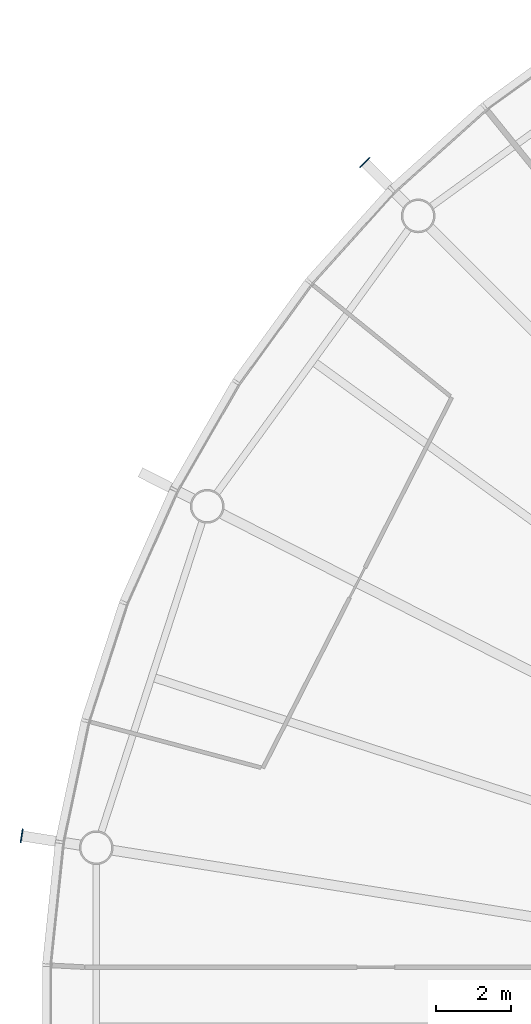
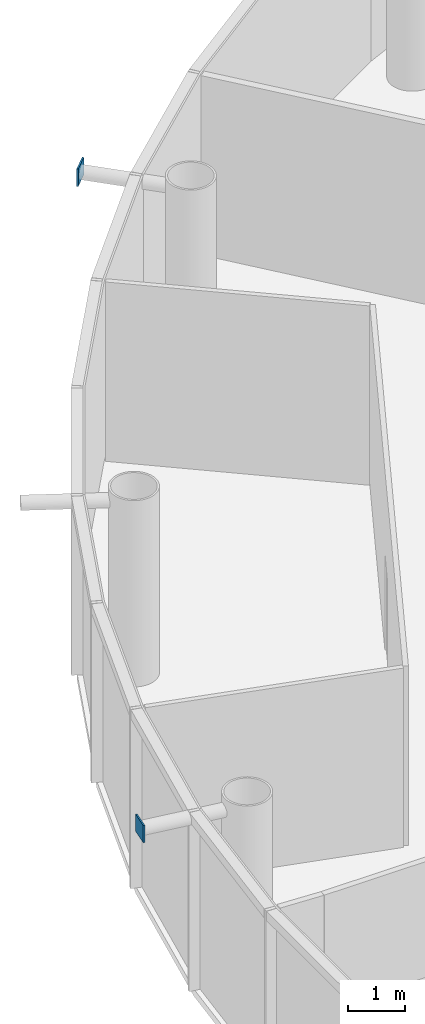
# One storey, part 9 of 18: 2 discrete accessories.
"""IFC4 building model written with IfcOpenShell, lengths in metres."""

from ifc_helpers import new_model, si_unit, direction, frame, origin, origin_2d, place, context, subcontext, project, spatial, rectangle, extrude, material, element, save


model = new_model("IFC4")

# Units and contexts
model_context = context("Model", 3, precision=1e-05, world=origin(), true_north=direction((0.0, 1.0)))
body_context = subcontext(model_context, "Body", "Model", "MODEL_VIEW")
ifc_project = project(units=[si_unit("LENGTHUNIT", "METRE"), si_unit("AREAUNIT", "SQUARE_METRE"), si_unit("VOLUMEUNIT", "CUBIC_METRE"), si_unit("PLANEANGLEUNIT", "RADIAN"), si_unit("MASSUNIT", "GRAM", prefix="KILO")], contexts=[model_context])

# Site, building, storey
site_placement = place(None, origin())
site = spatial("IfcSite", under=ifc_project, at=site_placement, CompositionType="ELEMENT")
building_placement = place(site_placement, origin())
building = spatial("IfcBuilding", under=site, at=building_placement, Name="Entoto Ring Tower", CompositionType="ELEMENT")
storey_placement = place(building_placement, frame((0.0, 0.0, 388.0)))
storey = spatial("IfcBuildingStorey", under=building, at=storey_placement, Name="L90", CompositionType="ELEMENT", Elevation=388.0)

# Discrete accessories
ifc_material = material(Name="Steel S355", Category="steel")
for number, where, z_axis, x_axis, name in (
    (1, (66.937744140625, 103.062255859375, 3.52685546875), (0.0, 0.0, 1.0), (-0.707106781187, 0.707106781187, 0.0), "Node strut end plate DS2 ring 28 08"),
    (2, (57.78662109375, 85.10205078125, 3.52685546875), (0.0, 0.0, 1.0), (-0.987688340595, 0.15643446504, 0.0), "Node strut end plate DS2 ring 28 10"),
):
    element("IfcDiscreteAccessory", number, at=place(storey_placement, frame(where, z_axis=z_axis, x_axis=x_axis)), inside=storey, material=ifc_material, Name=name, PredefinedType="BRACKET", context=body_context, shape_type="SweptSolid", body=[
        extrude(rectangle(XDim=0.030029296875, YDim=0.373046875, at=origin_2d()), origin(), (0.0, 0.0, 1.0), 0.373046875),
    ])

save(model, "model.ifc")
